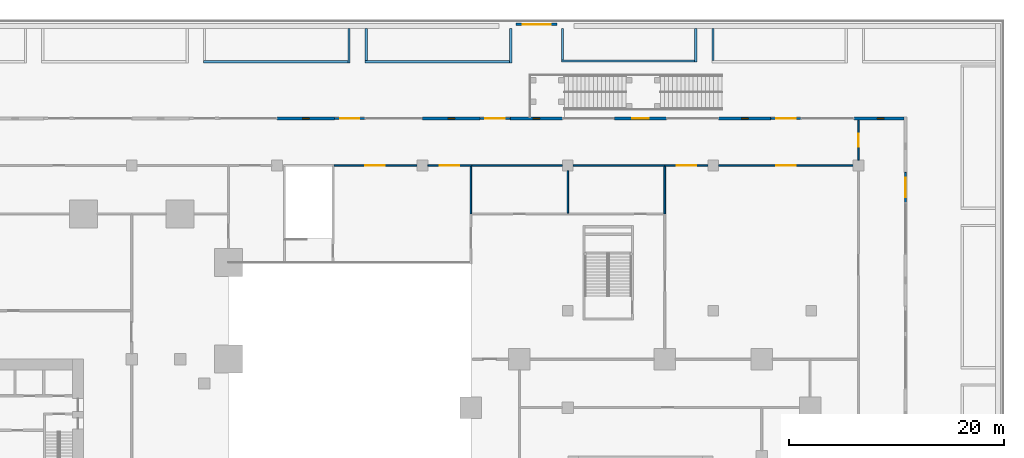
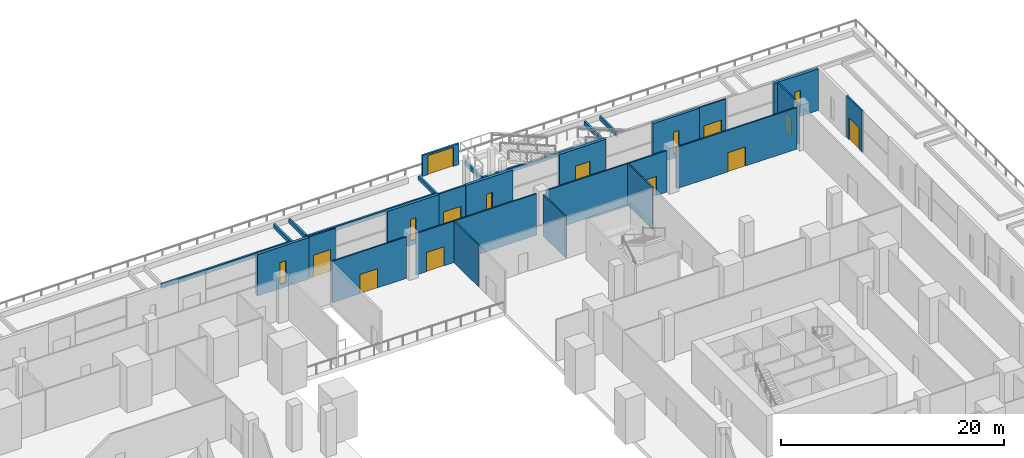
# One storey, part 40 of 49: 30 walls, 10 doors, 6 windows, 16 openings.
"""IFC4 building model written with IfcOpenShell, lengths in metres."""

from ifc_helpers import new_model, si_unit, direction, frame, frame_2d, origin, place, context, subcontext, project, spatial, rectangle, extrude, material, layer, layer_set, type_object, element, fill, save


model = new_model("IFC4")

# Units and contexts
model_context = context("Model", 3, precision=1e-05, world=origin(), true_north=direction((0.0, 1.0)))
body_context = subcontext(model_context, "Body", "Model", "MODEL_VIEW")
ifc_project = project(units=[si_unit("LENGTHUNIT", "METRE"), si_unit("AREAUNIT", "SQUARE_METRE"), si_unit("VOLUMEUNIT", "CUBIC_METRE"), si_unit("PLANEANGLEUNIT", "RADIAN"), si_unit("MASSUNIT", "GRAM", prefix="KILO")], contexts=[model_context])

# Site, building, storey
site_placement = place(None, origin())
site = spatial("IfcSite", under=ifc_project, at=site_placement, CompositionType="ELEMENT")
building_placement = place(site_placement, origin())
building = spatial("IfcBuilding", under=site, at=building_placement, Name="Altepetl Exchange Towers", CompositionType="ELEMENT")
storey_placement = place(building_placement, frame((0.0, 0.0, 11.5)))
storey = spatial("IfcBuildingStorey", under=building, at=storey_placement, Name="L02 Exchange podium", CompositionType="ELEMENT", Elevation=11.5)

# Wall, opening, door
ifc_material_1 = material(Name="Reinforced concrete C35/45", Category="concrete")
ifc_layer_1 = layer(ifc_material_1, 0.199951171875)
ifc_layer_set_1 = layer_set([ifc_layer_1], Name="Reinforced concrete C35/45")
wall_type_1 = type_object("IfcWallType", Name="Garden gate screen wall 200", PredefinedType="SOLIDWALL", material=ifc_layer_set_1)
wall_1_placement = place(storey_placement, frame((98.699951171875, 89.60009765625, 0.0)))
wall_1 = element("IfcWall", 1, at=wall_1_placement, inside=storey, type_object=wall_type_1, Name="wall:P:L02:gateR2", PredefinedType="SOLIDWALL", context=body_context, shape_type="SweptSolid", body=[
    extrude(rectangle(XDim=3.800048828125, YDim=0.199951171875, at=frame_2d((1.89990234375, 0.0))), origin(), (0.0, 0.0, 1.0), 2.300048828125),
])
opening_1_placement = place(wall_1_placement, frame((0.60009765625, 0.0, 0.0)))
opening_1 = element("IfcOpeningElement", 2, at=opening_1_placement, cuts=wall_1, Name="Opening L02.P049", PredefinedType="OPENING", context=body_context, shape_type="SweptSolid", body=[
    extrude(rectangle(XDim=2.60009765625, YDim=2.10009765625, at=frame_2d((1.300048828125, 1.050048828125))), frame((0.0, 0.10986328125, 0.0), z_axis=(0.0, -1.0, 0.0), x_axis=(1.0, 0.0, 0.0)), (0.0, 0.0, 1.0), 0.219970703125),
])
ifc_material_2 = material(Name="Painted steel bars and timber", Category="steel")
door_type_1 = type_object("IfcDoorType", Name="Garden gate 2600 x 2100 double leaf", OperationType="DOUBLE_DOOR_SINGLE_SWING", PredefinedType="GATE", material=ifc_material_2)
door_1_placement = place(opening_1_placement, origin())
door_1 = element("IfcDoor", 3, at=door_1_placement, inside=storey, type_object=door_type_1, Name="door:P:L02:049", OperationType="DOUBLE_DOOR_SINGLE_SWING", OverallHeight=2.10009765625, OverallWidth=2.60009765625, PredefinedType="GATE", context=body_context, shape_type="SweptSolid", body=[
    extrude(rectangle(XDim=2.60009765625, YDim=2.10009765625, at=frame_2d((1.300048828125, 1.050048828125))), frame((0.0, 0.02490234375, 0.0), z_axis=(0.0, -1.0, 0.0), x_axis=(1.0, 0.0, 0.0)), (0.0, 0.0, 1.0), 0.050048828125),
])
fill(opening_1, door_1)

ifc_material_3 = material(Name="Aluminium composite cladding", Category="aluminium")
ifc_layer_2 = layer(ifc_material_3, 0.14990234375)
ifc_layer_set_2 = layer_set([ifc_layer_2], Name="Aluminium composite cladding")
wall_type_2 = type_object("IfcWallType", Name="Infill wall 150 aluminium panel", PredefinedType="SOLIDWALL", material=ifc_layer_set_2)
wall_2_placement = place(storey_placement, frame((134.85009765625, 73.050048828125, 0.0), z_axis=(0.0, 0.0, 1.0), x_axis=(0.0, 1.0, 0.0)))
wall_2 = element("IfcWall", 4, at=wall_2_placement, inside=storey, type_object=wall_type_2, Name="Door bay wall", PredefinedType="SOLIDWALL", context=body_context, shape_type="SweptSolid", body=[
    extrude(rectangle(XDim=2.800048828125, YDim=0.14990234375, at=frame_2d((1.39990234375, 0.0))), origin(), (0.0, 0.0, 1.0), 4.550048828125),
])
opening_2_placement = place(wall_2_placement, frame((0.5, 0.0, 0.0)))
opening_2 = element("IfcOpeningElement", 5, at=opening_2_placement, cuts=wall_2, Name="Opening L02.E10", PredefinedType="OPENING", context=body_context, shape_type="SweptSolid", body=[
    extrude(rectangle(XDim=1.800048828125, YDim=2.39990234375, at=frame_2d((0.89990234375, 1.199951171875))), frame((0.0, 0.0849609375, 0.0), z_axis=(0.0, -1.0, 0.0), x_axis=(1.0, 0.0, 0.0)), (0.0, 0.0, 1.0), 0.169921875),
])
ifc_material_4 = material(Name="Aluminium 6063-T6 and glass", Category="aluminium")
door_type_2 = type_object("IfcDoorType", Name="Glazed door pair 1800x2400", OperationType="DOUBLE_DOOR_DOUBLE_SWING", PredefinedType="NOTDEFINED", material=ifc_material_4)
door_2_placement = place(opening_2_placement, frame((1.800048828125, 0.0, 0.0), x_axis=(-1.0, 0.0, 0.0)))
door_2 = element("IfcDoor", 6, at=door_2_placement, inside=storey, type_object=door_type_2, Name="Terrace door", OperationType="DOUBLE_DOOR_DOUBLE_SWING", OverallHeight=2.39990234375, OverallWidth=1.800048828125, PredefinedType="NOTDEFINED", context=body_context, shape_type="SweptSolid", body=[
    extrude(rectangle(XDim=1.800048828125, YDim=2.39990234375, at=frame_2d((0.89990234375, 1.199951171875))), frame((0.0, 0.02490234375, 0.0), z_axis=(0.0, -1.0, 0.0), x_axis=(1.0, 0.0, 0.0)), (0.0, 0.0, 1.0), 0.050048828125),
])
fill(opening_2, door_2)

wall_3_placement = place(storey_placement, frame((125.14990234375, 80.85009765625, 0.0), z_axis=(0.0, 0.0, 1.0), x_axis=(-1.0, 0.0, 0.0)))
wall_3 = element("IfcWall", 7, at=wall_3_placement, inside=storey, type_object=wall_type_2, Name="Door bay wall", PredefinedType="SOLIDWALL", context=body_context, shape_type="SweptSolid", body=[
    extrude(rectangle(XDim=2.7998046875, YDim=0.14990234375, at=frame_2d((1.39990234375, 0.0))), origin(), (0.0, 0.0, 1.0), 4.550048828125),
])
opening_3_placement = place(wall_3_placement, frame((0.5, 0.0, 0.0)))
opening_3 = element("IfcOpeningElement", 8, at=opening_3_placement, cuts=wall_3, Name="Opening L02.E26", PredefinedType="OPENING", context=body_context, shape_type="SweptSolid", body=[
    extrude(rectangle(XDim=1.800048828125, YDim=2.39990234375, at=frame_2d((0.89990234375, 1.199951171875))), frame((0.0, 0.0849609375, 0.0), z_axis=(0.0, -1.0, 0.0), x_axis=(1.0, 0.0, 0.0)), (0.0, 0.0, 1.0), 0.169921875),
])
door_3_placement = place(opening_3_placement, frame((1.800048828125, 0.0, 0.0), x_axis=(-1.0, 0.0, 0.0)))
door_3 = element("IfcDoor", 9, at=door_3_placement, inside=storey, type_object=door_type_2, Name="Terrace door", OperationType="DOUBLE_DOOR_DOUBLE_SWING", OverallHeight=2.39990234375, OverallWidth=1.800048828125, PredefinedType="NOTDEFINED", context=body_context, shape_type="SweptSolid", body=[
    extrude(rectangle(XDim=1.800048828125, YDim=2.39990234375, at=frame_2d((0.89990234375, 1.199951171875))), frame((0.0, 0.02490234375, 0.0), z_axis=(0.0, -1.0, 0.0), x_axis=(1.0, 0.0, 0.0)), (0.0, 0.0, 1.0), 0.050048828125),
])
fill(opening_3, door_3)

wall_4_placement = place(storey_placement, frame((98.14990234375, 80.85009765625, 0.0), z_axis=(0.0, 0.0, 1.0), x_axis=(-1.0, 0.0, 0.0)))
wall_4 = element("IfcWall", 10, at=wall_4_placement, inside=storey, type_object=wall_type_2, Name="Door bay wall", PredefinedType="SOLIDWALL", context=body_context, shape_type="SweptSolid", body=[
    extrude(rectangle(XDim=2.7998046875, YDim=0.14990234375, at=frame_2d((1.39990234375, 0.0))), origin(), (0.0, 0.0, 1.0), 4.550048828125),
])
opening_4_placement = place(wall_4_placement, frame((0.5, 0.0, 0.0)))
opening_4 = element("IfcOpeningElement", 11, at=opening_4_placement, cuts=wall_4, Name="Opening L02.E24", PredefinedType="OPENING", context=body_context, shape_type="SweptSolid", body=[
    extrude(rectangle(XDim=1.800048828125, YDim=2.39990234375, at=frame_2d((0.89990234375, 1.199951171875))), frame((0.0, 0.0849609375, 0.0), z_axis=(0.0, -1.0, 0.0), x_axis=(1.0, 0.0, 0.0)), (0.0, 0.0, 1.0), 0.169921875),
])
door_4_placement = place(opening_4_placement, frame((1.800048828125, 0.0, 0.0), x_axis=(-1.0, 0.0, 0.0)))
door_4 = element("IfcDoor", 12, at=door_4_placement, inside=storey, type_object=door_type_2, Name="Terrace door", OperationType="DOUBLE_DOOR_DOUBLE_SWING", OverallHeight=2.39990234375, OverallWidth=1.800048828125, PredefinedType="NOTDEFINED", context=body_context, shape_type="SweptSolid", body=[
    extrude(rectangle(XDim=1.800048828125, YDim=2.39990234375, at=frame_2d((0.89990234375, 1.199951171875))), frame((0.0, 0.02490234375, 0.0), z_axis=(0.0, -1.0, 0.0), x_axis=(1.0, 0.0, 0.0)), (0.0, 0.0, 1.0), 0.050048828125),
])
fill(opening_4, door_4)

wall_5_placement = place(storey_placement, frame((84.64990234375, 80.85009765625, 0.0), z_axis=(0.0, 0.0, 1.0), x_axis=(-1.0, 0.0, 0.0)))
wall_5 = element("IfcWall", 13, at=wall_5_placement, inside=storey, type_object=wall_type_2, Name="Door bay wall", PredefinedType="SOLIDWALL", context=body_context, shape_type="SweptSolid", body=[
    extrude(rectangle(XDim=2.7998046875, YDim=0.14990234375, at=frame_2d((1.39990234375, 0.0))), origin(), (0.0, 0.0, 1.0), 4.550048828125),
])
opening_5_placement = place(wall_5_placement, frame((0.5, 0.0, 0.0)))
opening_5 = element("IfcOpeningElement", 14, at=opening_5_placement, cuts=wall_5, Name="Opening L02.E23", PredefinedType="OPENING", context=body_context, shape_type="SweptSolid", body=[
    extrude(rectangle(XDim=1.800048828125, YDim=2.39990234375, at=frame_2d((0.89990234375, 1.199951171875))), frame((0.0, 0.0849609375, 0.0), z_axis=(0.0, -1.0, 0.0), x_axis=(1.0, 0.0, 0.0)), (0.0, 0.0, 1.0), 0.169921875),
])
door_5_placement = place(opening_5_placement, frame((1.800048828125, 0.0, 0.0), x_axis=(-1.0, 0.0, 0.0)))
door_5 = element("IfcDoor", 15, at=door_5_placement, inside=storey, type_object=door_type_2, Name="Terrace door", OperationType="DOUBLE_DOOR_DOUBLE_SWING", OverallHeight=2.39990234375, OverallWidth=1.800048828125, PredefinedType="NOTDEFINED", context=body_context, shape_type="SweptSolid", body=[
    extrude(rectangle(XDim=1.800048828125, YDim=2.39990234375, at=frame_2d((0.89990234375, 1.199951171875))), frame((0.0, 0.02490234375, 0.0), z_axis=(0.0, -1.0, 0.0), x_axis=(1.0, 0.0, 0.0)), (0.0, 0.0, 1.0), 0.050048828125),
])
fill(opening_5, door_5)

# Walls
ifc_layer_3 = layer(ifc_material_1, 0.199951171875)
ifc_layer_set_3 = layer_set([ifc_layer_3], Name="Reinforced concrete C35/45")
wall_type_3 = type_object("IfcWallType", Name="Planting bed curb 200", PredefinedType="SOLIDWALL", material=ifc_layer_set_3)
wall_6_placement = place(storey_placement, frame((115.375, 86.10009765625, 0.0), z_axis=(0.0, 0.0, 1.0), x_axis=(0.0, 1.0, 0.0)))
element("IfcWall", 16, at=wall_6_placement, inside=storey, type_object=wall_type_3, Name="wall:P:L02:CB10e", PredefinedType="SOLIDWALL", context=body_context, shape_type="SweptSolid", body=[
    extrude(rectangle(XDim=3.125, YDim=0.199951171875, at=frame_2d((1.5625, 0.0))), origin(), (0.0, 0.0, 1.0), 0.449951171875),
])
wall_7_placement = place(storey_placement, frame((102.89990234375, 86.199951171875, 0.0)))
element("IfcWall", 17, at=wall_7_placement, inside=storey, type_object=wall_type_3, Name="wall:P:L02:CB10s", PredefinedType="SOLIDWALL", context=body_context, shape_type="SweptSolid", body=[
    extrude(rectangle(XDim=12.375, YDim=0.199951171875, at=frame_2d((6.1875, 0.0))), origin(), (0.0, 0.0, 1.0), 0.449951171875),
])
wall_8_placement = place(storey_placement, frame((103.0, 86.300048828125, 0.0), z_axis=(0.0, 0.0, 1.0), x_axis=(0.0, 1.0, 0.0)))
element("IfcWall", 18, at=wall_8_placement, inside=storey, type_object=wall_type_3, Name="wall:P:L02:CB10w", PredefinedType="SOLIDWALL", context=body_context, shape_type="SweptSolid", body=[
    extrude(rectangle(XDim=2.925048828125, YDim=0.199951171875, at=frame_2d((1.46240234375, 0.0))), origin(), (0.0, 0.0, 1.0), 0.449951171875),
])
wall_9_placement = place(storey_placement, frame((116.97509765625, 86.22509765625, 0.0), z_axis=(0.0, 0.0, 1.0), x_axis=(0.0, 1.0, 0.0)))
element("IfcWall", 19, at=wall_9_placement, inside=storey, type_object=wall_type_3, Name="wall:P:L02:CB11w", PredefinedType="SOLIDWALL", context=body_context, shape_type="SweptSolid", body=[
    extrude(rectangle(XDim=3.0, YDim=0.199951171875, at=frame_2d((1.5, 0.0))), origin(), (0.0, 0.0, 1.0), 0.449951171875),
])
wall_10_placement = place(storey_placement, frame((83.17919921875, 86.02490234375, 0.0), z_axis=(0.0, 0.0, 1.0), x_axis=(0.0, 1.0, 0.0)))
element("IfcWall", 20, at=wall_10_placement, inside=storey, type_object=wall_type_3, Name="wall:P:L02:CB17e", PredefinedType="SOLIDWALL", context=body_context, shape_type="SweptSolid", body=[
    extrude(rectangle(XDim=3.2001953125, YDim=0.199951171875, at=frame_2d((1.60009765625, 0.0))), origin(), (0.0, 0.0, 1.0), 0.449951171875),
])
wall_11_placement = place(storey_placement, frame((69.658203125, 86.125, 0.0)))
element("IfcWall", 21, at=wall_11_placement, inside=storey, type_object=wall_type_3, Name="wall:P:L02:CB17s", PredefinedType="SOLIDWALL", context=body_context, shape_type="SweptSolid", body=[
    extrude(rectangle(XDim=13.4208984375, YDim=0.199951171875, at=frame_2d((6.71044921875, 0.0))), origin(), (0.0, 0.0, 1.0), 0.449951171875),
])
wall_12_placement = place(storey_placement, frame((98.199951171875, 86.02490234375, 0.0), z_axis=(0.0, 0.0, 1.0), x_axis=(0.0, 1.0, 0.0)))
element("IfcWall", 22, at=wall_12_placement, inside=storey, type_object=wall_type_3, Name="wall:P:L02:CB18e", PredefinedType="SOLIDWALL", context=body_context, shape_type="SweptSolid", body=[
    extrude(rectangle(XDim=3.2001953125, YDim=0.199951171875, at=frame_2d((1.60009765625, 0.0))), origin(), (0.0, 0.0, 1.0), 0.449951171875),
])
wall_13_placement = place(storey_placement, frame((84.67919921875, 86.125, 0.0)))
element("IfcWall", 23, at=wall_13_placement, inside=storey, type_object=wall_type_3, Name="wall:P:L02:CB18s", PredefinedType="SOLIDWALL", context=body_context, shape_type="SweptSolid", body=[
    extrude(rectangle(XDim=13.4208984375, YDim=0.199951171875, at=frame_2d((6.71044921875, 0.0))), origin(), (0.0, 0.0, 1.0), 0.449951171875),
])
wall_14_placement = place(storey_placement, frame((84.779296875, 86.22509765625, 0.0), z_axis=(0.0, 0.0, 1.0), x_axis=(0.0, 1.0, 0.0)))
element("IfcWall", 24, at=wall_14_placement, inside=storey, type_object=wall_type_3, Name="wall:P:L02:CB18w", PredefinedType="SOLIDWALL", context=body_context, shape_type="SweptSolid", body=[
    extrude(rectangle(XDim=3.0, YDim=0.199951171875, at=frame_2d((1.5, 0.0))), origin(), (0.0, 0.0, 1.0), 0.449951171875),
])

# Wall, opening, door
ifc_material_5 = material(Name="Gypsum board on steel studs", Category="steel")
ifc_layer_4 = layer(ifc_material_5, 0.14990234375)
ifc_layer_set_4 = layer_set([ifc_layer_4], Name="Gypsum board on steel studs")
wall_type_4 = type_object("IfcWallType", Name="Podium partition 150", PredefinedType="PARTITIONING", material=ifc_layer_set_4)
wall_15_placement = place(storey_placement, frame((130.5, 76.9951171875, 0.0), z_axis=(0.0, 0.0, 1.0), x_axis=(0.0, 1.0, 0.0)))
wall_15 = element("IfcWall", 25, at=wall_15_placement, inside=storey, type_object=wall_type_4, Name="wall:P:L02:P010", PredefinedType="PARTITIONING", context=body_context, shape_type="SweptSolid", body=[
    extrude(rectangle(XDim=3.704833984375, YDim=0.14990234375, at=frame_2d((1.8525390625, 0.0))), origin(), (0.0, 0.0, 1.0), 4.550048828125),
])
opening_6_placement = place(wall_15_placement, frame((1.25, 0.0, 0.0)))
opening_6 = element("IfcOpeningElement", 26, at=opening_6_placement, cuts=wall_15, Name="Opening L02.P028", PredefinedType="OPENING", context=body_context, shape_type="SweptSolid", body=[
    extrude(rectangle(XDim=1.199951171875, YDim=2.10009765625, at=frame_2d((0.60009765625, 1.050048828125))), frame((0.0, 0.0849609375, 0.0), z_axis=(0.0, -1.0, 0.0), x_axis=(1.0, 0.0, 0.0)), (0.0, 0.0, 1.0), 0.169921875),
])
ifc_material_6 = material(Name="Steel fire door", Category="steel")
door_type_3 = type_object("IfcDoorType", Name="Podium fire door 1200 x 2100 double leaf", OperationType="DOUBLE_DOOR_SINGLE_SWING", PredefinedType="DOOR", material=ifc_material_6)
door_6_placement = place(opening_6_placement, frame((1.199951171875, 0.0, 0.0), x_axis=(-1.0, 0.0, 0.0)))
door_6 = element("IfcDoor", 27, at=door_6_placement, inside=storey, type_object=door_type_3, Name="door:P:L02:028", OperationType="DOUBLE_DOOR_SINGLE_SWING", OverallHeight=2.10009765625, OverallWidth=1.199951171875, PredefinedType="DOOR", context=body_context, shape_type="SweptSolid", body=[
    extrude(rectangle(XDim=1.199951171875, YDim=2.10009765625, at=frame_2d((0.60009765625, 1.050048828125))), frame((0.0, 0.02490234375, 0.0), z_axis=(0.0, -1.0, 0.0), x_axis=(1.0, 0.0, 0.0)), (0.0, 0.0, 1.0), 0.050048828125),
])
fill(opening_6, door_6)

wall_16_placement = place(storey_placement, frame((81.800048828125, 76.5, 0.0)))
wall_16 = element("IfcWall", 28, at=wall_16_placement, inside=storey, type_object=wall_type_4, Name="wall:P:L02:P030", PredefinedType="PARTITIONING", context=body_context, shape_type="SweptSolid", body=[
    extrude(rectangle(XDim=7.704833984375, YDim=0.14990234375, at=frame_2d((3.8525390625, 0.0))), origin(), (0.0, 0.0, 1.0), 4.550048828125),
])
opening_7_placement = place(wall_16_placement, frame((2.89990234375, 0.0, 0.0)))
opening_7 = element("IfcOpeningElement", 29, at=opening_7_placement, cuts=wall_16, Name="Opening L02.P033", PredefinedType="OPENING", context=body_context, shape_type="SweptSolid", body=[
    extrude(rectangle(XDim=1.800048828125, YDim=2.10009765625, at=frame_2d((0.89990234375, 1.050048828125))), frame((0.0, 0.0849609375, 0.0), z_axis=(0.0, -1.0, 0.0), x_axis=(1.0, 0.0, 0.0)), (0.0, 0.0, 1.0), 0.169921875),
])
ifc_material_7 = material(Name="Glazed aluminium and steel", Category="steel")
door_type_4 = type_object("IfcDoorType", Name="Podium fire door 1800 x 2100 double leaf", OperationType="DOUBLE_DOOR_SINGLE_SWING", PredefinedType="DOOR", material=ifc_material_7)
door_7_placement = place(opening_7_placement, frame((1.800048828125, 0.0, 0.0), x_axis=(-1.0, 0.0, 0.0)))
door_7 = element("IfcDoor", 30, at=door_7_placement, inside=storey, type_object=door_type_4, Name="door:P:L02:033", OperationType="DOUBLE_DOOR_SINGLE_SWING", OverallHeight=2.10009765625, OverallWidth=1.800048828125, PredefinedType="DOOR", context=body_context, shape_type="SweptSolid", body=[
    extrude(rectangle(XDim=1.800048828125, YDim=2.10009765625, at=frame_2d((0.89990234375, 1.050048828125))), frame((0.0, 0.02490234375, 0.0), z_axis=(0.0, -1.0, 0.0), x_axis=(1.0, 0.0, 0.0)), (0.0, 0.0, 1.0), 0.050048828125),
])
fill(opening_7, door_7)

wall_17_placement = place(storey_placement, frame((90.4951171875, 76.5, 0.0)))
wall_17 = element("IfcWall", 31, at=wall_17_placement, inside=storey, type_object=wall_type_4, Name="wall:P:L02:P031", PredefinedType="PARTITIONING", context=body_context, shape_type="SweptSolid", body=[
    extrude(rectangle(XDim=4.079833984375, YDim=0.14990234375, at=frame_2d((2.0400390625, 0.0))), origin(), (0.0, 0.0, 1.0), 4.550048828125),
])
opening_8_placement = place(wall_17_placement, frame((1.10009765625, 0.0, 0.0)))
opening_8 = element("IfcOpeningElement", 32, at=opening_8_placement, cuts=wall_17, Name="Opening L02.P034", PredefinedType="OPENING", context=body_context, shape_type="SweptSolid", body=[
    extrude(rectangle(XDim=1.800048828125, YDim=2.10009765625, at=frame_2d((0.89990234375, 1.050048828125))), frame((0.0, 0.0849609375, 0.0), z_axis=(0.0, -1.0, 0.0), x_axis=(1.0, 0.0, 0.0)), (0.0, 0.0, 1.0), 0.169921875),
])
door_8_placement = place(opening_8_placement, frame((1.800048828125, 0.0, 0.0), x_axis=(-1.0, 0.0, 0.0)))
door_8 = element("IfcDoor", 33, at=door_8_placement, inside=storey, type_object=door_type_4, Name="door:P:L02:034", OperationType="DOUBLE_DOOR_SINGLE_SWING", OverallHeight=2.10009765625, OverallWidth=1.800048828125, PredefinedType="DOOR", context=body_context, shape_type="SweptSolid", body=[
    extrude(rectangle(XDim=1.800048828125, YDim=2.10009765625, at=frame_2d((0.89990234375, 1.050048828125))), frame((0.0, 0.02490234375, 0.0), z_axis=(0.0, -1.0, 0.0), x_axis=(1.0, 0.0, 0.0)), (0.0, 0.0, 1.0), 0.050048828125),
])
fill(opening_8, door_8)

# Walls
wall_18_placement = place(storey_placement, frame((94.5, 76.5, 0.0)))
element("IfcWall", 34, at=wall_18_placement, inside=storey, type_object=wall_type_4, Name="wall:P:L02:P037", PredefinedType="PARTITIONING", context=body_context, shape_type="SweptSolid", body=[
    extrude(rectangle(XDim=8.5048828125, YDim=0.14990234375, at=frame_2d((4.25244140625, 0.0))), origin(), (0.0, 0.0, 1.0), 4.550048828125),
])
wall_19_placement = place(storey_placement, frame((103.9951171875, 76.5, 0.0)))
element("IfcWall", 35, at=wall_19_placement, inside=storey, type_object=wall_type_4, Name="wall:P:L02:P038", PredefinedType="PARTITIONING", context=body_context, shape_type="SweptSolid", body=[
    extrude(rectangle(XDim=8.579833984375, YDim=0.14990234375, at=frame_2d((4.2900390625, 0.0))), origin(), (0.0, 0.0, 1.0), 4.550048828125),
])

# Wall, opening, door
wall_20_placement = place(storey_placement, frame((112.5, 76.5, 0.0)))
wall_20 = element("IfcWall", 36, at=wall_20_placement, inside=storey, type_object=wall_type_4, Name="wall:P:L02:P039", PredefinedType="PARTITIONING", context=body_context, shape_type="SweptSolid", body=[
    extrude(rectangle(XDim=4.0048828125, YDim=0.14990234375, at=frame_2d((2.00244140625, 0.0))), origin(), (0.0, 0.0, 1.0), 4.550048828125),
])
opening_9_placement = place(wall_20_placement, frame((1.10009765625, 0.0, 0.0)))
opening_9 = element("IfcOpeningElement", 37, at=opening_9_placement, cuts=wall_20, Name="Opening L02.P036", PredefinedType="OPENING", context=body_context, shape_type="SweptSolid", body=[
    extrude(rectangle(XDim=1.800048828125, YDim=2.10009765625, at=frame_2d((0.89990234375, 1.050048828125))), frame((0.0, 0.0849609375, 0.0), z_axis=(0.0, -1.0, 0.0), x_axis=(1.0, 0.0, 0.0)), (0.0, 0.0, 1.0), 0.169921875),
])
door_9_placement = place(opening_9_placement, origin())
door_9 = element("IfcDoor", 38, at=door_9_placement, inside=storey, type_object=door_type_4, Name="door:P:L02:036", OperationType="DOUBLE_DOOR_SINGLE_SWING", OverallHeight=2.10009765625, OverallWidth=1.800048828125, PredefinedType="DOOR", context=body_context, shape_type="SweptSolid", body=[
    extrude(rectangle(XDim=1.800048828125, YDim=2.10009765625, at=frame_2d((0.89990234375, 1.050048828125))), frame((0.0, 0.02490234375, 0.0), z_axis=(0.0, -1.0, 0.0), x_axis=(1.0, 0.0, 0.0)), (0.0, 0.0, 1.0), 0.050048828125),
])
fill(opening_9, door_9)

wall_21_placement = place(storey_placement, frame((117.4951171875, 76.5, 0.0)))
wall_21 = element("IfcWall", 39, at=wall_21_placement, inside=storey, type_object=wall_type_4, Name="wall:P:L02:P040", PredefinedType="PARTITIONING", context=body_context, shape_type="SweptSolid", body=[
    extrude(rectangle(XDim=12.509765625, YDim=0.14990234375, at=frame_2d((6.2548828125, 0.0))), origin(), (0.0, 0.0, 1.0), 4.550048828125),
])
opening_10_placement = place(wall_21_placement, frame((5.35009765625, 0.0, 0.0)))
opening_10 = element("IfcOpeningElement", 40, at=opening_10_placement, cuts=wall_21, Name="Opening L02.P035", PredefinedType="OPENING", context=body_context, shape_type="SweptSolid", body=[
    extrude(rectangle(XDim=1.800048828125, YDim=2.10009765625, at=frame_2d((0.89990234375, 1.050048828125))), frame((0.0, 0.0849609375, 0.0), z_axis=(0.0, -1.0, 0.0), x_axis=(1.0, 0.0, 0.0)), (0.0, 0.0, 1.0), 0.169921875),
])
door_10_placement = place(opening_10_placement, origin())
door_10 = element("IfcDoor", 41, at=door_10_placement, inside=storey, type_object=door_type_4, Name="door:P:L02:035", OperationType="DOUBLE_DOOR_SINGLE_SWING", OverallHeight=2.10009765625, OverallWidth=1.800048828125, PredefinedType="DOOR", context=body_context, shape_type="SweptSolid", body=[
    extrude(rectangle(XDim=1.800048828125, YDim=2.10009765625, at=frame_2d((0.89990234375, 1.050048828125))), frame((0.0, 0.02490234375, 0.0), z_axis=(0.0, -1.0, 0.0), x_axis=(1.0, 0.0, 0.0)), (0.0, 0.0, 1.0), 0.050048828125),
])
fill(opening_10, door_10)

# Walls
wall_22_placement = place(storey_placement, frame((94.5, 72.0, 0.0), z_axis=(0.0, 0.0, 1.0), x_axis=(0.0, 1.0, 0.0)))
element("IfcWall", 42, at=wall_22_placement, inside=storey, type_object=wall_type_4, Name="wall:P:L02:P047", PredefinedType="PARTITIONING", context=body_context, shape_type="SweptSolid", body=[
    extrude(rectangle(XDim=4.425048828125, YDim=0.14990234375, at=frame_2d((2.21240234375, 0.0))), origin(), (0.0, 0.0, 1.0), 4.550048828125),
])
wall_23_placement = place(storey_placement, frame((103.5, 72.074951171875, 0.0), z_axis=(0.0, 0.0, 1.0), x_axis=(0.0, 1.0, 0.0)))
element("IfcWall", 43, at=wall_23_placement, inside=storey, type_object=wall_type_4, Name="wall:P:L02:P133", PredefinedType="PARTITIONING", context=body_context, shape_type="SweptSolid", body=[
    extrude(rectangle(XDim=3.929931640625, YDim=0.14990234375, at=frame_2d((1.96484375, 0.0))), origin(), (0.0, 0.0, 1.0), 4.550048828125),
])
wall_24_placement = place(storey_placement, frame((112.5, 72.0, 0.0), z_axis=(0.0, 0.0, 1.0), x_axis=(0.0, 1.0, 0.0)))
element("IfcWall", 44, at=wall_24_placement, inside=storey, type_object=wall_type_4, Name="wall:P:L02:P134", PredefinedType="PARTITIONING", context=body_context, shape_type="SweptSolid", body=[
    extrude(rectangle(XDim=4.425048828125, YDim=0.14990234375, at=frame_2d((2.21240234375, 0.0))), origin(), (0.0, 0.0, 1.0), 4.550048828125),
])

# Wall, opening, window
ifc_material_8 = material(Name="Cantera limestone cladding", Category="masonry")
ifc_layer_5 = layer(ifc_material_8, 0.300048828125)
ifc_layer_set_5 = layer_set([ifc_layer_5], Name="Cantera limestone cladding")
wall_type_5 = type_object("IfcWallType", Name="Stone wall panel 300", PredefinedType="ELEMENTEDWALL", material=ifc_layer_set_5)
wall_25_placement = place(storey_placement, frame((134.699951171875, 80.85009765625, 0.0), z_axis=(0.0, 0.0, 1.0), x_axis=(-1.0, 0.0, 0.0)))
wall_25 = element("IfcWall", 45, at=wall_25_placement, inside=storey, type_object=wall_type_5, Name="Stone wall panel", PredefinedType="ELEMENTEDWALL", context=body_context, shape_type="SweptSolid", body=[
    extrude(rectangle(XDim=4.625, YDim=0.300048828125, at=frame_2d((2.3125, 0.0))), origin(), (0.0, 0.0, 1.0), 4.550048828125),
])
opening_11_placement = place(wall_25_placement, frame((1.862548828125, 0.0, 0.449951171875)))
opening_11 = element("IfcOpeningElement", 46, at=opening_11_placement, cuts=wall_25, Name="Opening W3", PredefinedType="OPENING", context=body_context, shape_type="SweptSolid", body=[
    extrude(rectangle(XDim=0.60009765625, YDim=2.39990234375, at=frame_2d((0.300048828125, 1.199951171875))), frame((0.0, 0.16015625, 0.0), z_axis=(0.0, -1.0, 0.0), x_axis=(1.0, 0.0, 0.0)), (0.0, 0.0, 1.0), 0.320068359375),
])
window_type_1 = type_object("IfcWindowType", Name="Tall slot window 600x2400", PartitioningType="SINGLE_PANEL", PredefinedType="WINDOW", material=ifc_material_4)
window_1_placement = place(opening_11_placement, origin())
window_1 = element("IfcWindow", 47, at=window_1_placement, inside=storey, type_object=window_type_1, Name="Window", OverallHeight=2.39990234375, OverallWidth=0.60009765625, PartitioningType="SINGLE_PANEL", PredefinedType="WINDOW", context=body_context, shape_type="SweptSolid", body=[
    extrude(rectangle(XDim=0.60009765625, YDim=2.39990234375, at=frame_2d((0.300048828125, 1.199951171875))), frame((0.0, 0.030029296875, 0.0), z_axis=(0.0, -1.0, 0.0), x_axis=(1.0, 0.0, 0.0)), (0.0, 0.0, 1.0), 0.06005859375),
])
fill(opening_11, window_1)

wall_26_placement = place(storey_placement, frame((122.35009765625, 80.85009765625, 0.0), z_axis=(0.0, 0.0, 1.0), x_axis=(-1.0, 0.0, 0.0)))
wall_26 = element("IfcWall", 48, at=wall_26_placement, inside=storey, type_object=wall_type_5, Name="Stone wall panel", PredefinedType="ELEMENTEDWALL", context=body_context, shape_type="SweptSolid", body=[
    extrude(rectangle(XDim=4.840087890625, YDim=0.300048828125, at=frame_2d((2.419921875, 0.0))), origin(), (0.0, 0.0, 1.0), 4.550048828125),
])
opening_12_placement = place(wall_26_placement, frame((2.1201171875, 0.0, 0.449951171875)))
opening_12 = element("IfcOpeningElement", 49, at=opening_12_placement, cuts=wall_26, Name="Opening W3", PredefinedType="OPENING", context=body_context, shape_type="SweptSolid", body=[
    extrude(rectangle(XDim=0.60009765625, YDim=2.39990234375, at=frame_2d((0.300048828125, 1.199951171875))), frame((0.0, 0.16015625, 0.0), z_axis=(0.0, -1.0, 0.0), x_axis=(1.0, 0.0, 0.0)), (0.0, 0.0, 1.0), 0.320068359375),
])
window_2_placement = place(opening_12_placement, origin())
window_2 = element("IfcWindow", 50, at=window_2_placement, inside=storey, type_object=window_type_1, Name="Window", OverallHeight=2.39990234375, OverallWidth=0.60009765625, PartitioningType="SINGLE_PANEL", PredefinedType="WINDOW", context=body_context, shape_type="SweptSolid", body=[
    extrude(rectangle(XDim=0.60009765625, YDim=2.39990234375, at=frame_2d((0.300048828125, 1.199951171875))), frame((0.0, 0.030029296875, 0.0), z_axis=(0.0, -1.0, 0.0), x_axis=(1.0, 0.0, 0.0)), (0.0, 0.0, 1.0), 0.06005859375),
])
fill(opening_12, window_2)

wall_27_placement = place(storey_placement, frame((112.669921875, 80.85009765625, 0.0), z_axis=(0.0, 0.0, 1.0), x_axis=(-1.0, 0.0, 0.0)))
wall_27 = element("IfcWall", 51, at=wall_27_placement, inside=storey, type_object=wall_type_5, Name="Stone wall panel", PredefinedType="ELEMENTEDWALL", context=body_context, shape_type="SweptSolid", body=[
    extrude(rectangle(XDim=4.83984375, YDim=0.300048828125, at=frame_2d((2.419921875, 0.0))), origin(), (0.0, 0.0, 1.0), 4.550048828125),
])
opening_13_placement = place(wall_27_placement, frame((1.669921875, 0.0, 0.89990234375)))
opening_13 = element("IfcOpeningElement", 52, at=opening_13_placement, cuts=wall_27, Name="Opening W2", PredefinedType="OPENING", context=body_context, shape_type="SweptSolid", body=[
    extrude(rectangle(XDim=1.5, YDim=1.800048828125, at=frame_2d((0.75, 0.89990234375))), frame((0.0, 0.16015625, 0.0), z_axis=(0.0, -1.0, 0.0), x_axis=(1.0, 0.0, 0.0)), (0.0, 0.0, 1.0), 0.320068359375),
])
ifc_material_9 = material(Name="Timber and glass", Category="wood")
window_type_2 = type_object("IfcWindowType", Name="Punched window 1500x1800", PartitioningType="SINGLE_PANEL", PredefinedType="WINDOW", material=ifc_material_9)
window_3_placement = place(opening_13_placement, origin())
window_3 = element("IfcWindow", 53, at=window_3_placement, inside=storey, type_object=window_type_2, Name="Window", OverallHeight=1.800048828125, OverallWidth=1.5, PartitioningType="SINGLE_PANEL", PredefinedType="WINDOW", context=body_context, shape_type="SweptSolid", body=[
    extrude(rectangle(XDim=1.5, YDim=1.800048828125, at=frame_2d((0.75, 0.89990234375))), frame((0.0, 0.030029296875, 0.0), z_axis=(0.0, -1.0, 0.0), x_axis=(1.0, 0.0, 0.0)), (0.0, 0.0, 1.0), 0.06005859375),
])
fill(opening_13, window_3)

wall_28_placement = place(storey_placement, frame((102.989990234375, 80.85009765625, 0.0), z_axis=(0.0, 0.0, 1.0), x_axis=(-1.0, 0.0, 0.0)))
wall_28 = element("IfcWall", 54, at=wall_28_placement, inside=storey, type_object=wall_type_5, Name="Stone wall panel", PredefinedType="ELEMENTEDWALL", context=body_context, shape_type="SweptSolid", body=[
    extrude(rectangle(XDim=4.840087890625, YDim=0.300048828125, at=frame_2d((2.419921875, 0.0))), origin(), (0.0, 0.0, 1.0), 4.550048828125),
])
opening_14_placement = place(wall_28_placement, frame((2.1201171875, 0.0, 0.449951171875)))
opening_14 = element("IfcOpeningElement", 55, at=opening_14_placement, cuts=wall_28, Name="Opening W3", PredefinedType="OPENING", context=body_context, shape_type="SweptSolid", body=[
    extrude(rectangle(XDim=0.60009765625, YDim=2.39990234375, at=frame_2d((0.300048828125, 1.199951171875))), frame((0.0, 0.16015625, 0.0), z_axis=(0.0, -1.0, 0.0), x_axis=(1.0, 0.0, 0.0)), (0.0, 0.0, 1.0), 0.320068359375),
])
window_4_placement = place(opening_14_placement, origin())
window_4 = element("IfcWindow", 56, at=window_4_placement, inside=storey, type_object=window_type_1, Name="Window", OverallHeight=2.39990234375, OverallWidth=0.60009765625, PartitioningType="SINGLE_PANEL", PredefinedType="WINDOW", context=body_context, shape_type="SweptSolid", body=[
    extrude(rectangle(XDim=0.60009765625, YDim=2.39990234375, at=frame_2d((0.300048828125, 1.199951171875))), frame((0.0, 0.030029296875, 0.0), z_axis=(0.0, -1.0, 0.0), x_axis=(1.0, 0.0, 0.0)), (0.0, 0.0, 1.0), 0.06005859375),
])
fill(opening_14, window_4)

wall_29_placement = place(storey_placement, frame((95.35009765625, 80.85009765625, 0.0), z_axis=(0.0, 0.0, 1.0), x_axis=(-1.0, 0.0, 0.0)))
wall_29 = element("IfcWall", 57, at=wall_29_placement, inside=storey, type_object=wall_type_5, Name="Stone wall panel", PredefinedType="ELEMENTEDWALL", context=body_context, shape_type="SweptSolid", body=[
    extrude(rectangle(XDim=5.35009765625, YDim=0.300048828125, at=frame_2d((2.675048828125, 0.0))), origin(), (0.0, 0.0, 1.0), 4.550048828125),
])
opening_15_placement = place(wall_29_placement, frame((2.375, 0.0, 0.449951171875)))
opening_15 = element("IfcOpeningElement", 58, at=opening_15_placement, cuts=wall_29, Name="Opening W3", PredefinedType="OPENING", context=body_context, shape_type="SweptSolid", body=[
    extrude(rectangle(XDim=0.60009765625, YDim=2.39990234375, at=frame_2d((0.300048828125, 1.199951171875))), frame((0.0, 0.16015625, 0.0), z_axis=(0.0, -1.0, 0.0), x_axis=(1.0, 0.0, 0.0)), (0.0, 0.0, 1.0), 0.320068359375),
])
window_5_placement = place(opening_15_placement, origin())
window_5 = element("IfcWindow", 59, at=window_5_placement, inside=storey, type_object=window_type_1, Name="Window", OverallHeight=2.39990234375, OverallWidth=0.60009765625, PartitioningType="SINGLE_PANEL", PredefinedType="WINDOW", context=body_context, shape_type="SweptSolid", body=[
    extrude(rectangle(XDim=0.60009765625, YDim=2.39990234375, at=frame_2d((0.300048828125, 1.199951171875))), frame((0.0, 0.030029296875, 0.0), z_axis=(0.0, -1.0, 0.0), x_axis=(1.0, 0.0, 0.0)), (0.0, 0.0, 1.0), 0.06005859375),
])
fill(opening_15, window_5)

wall_30_placement = place(storey_placement, frame((81.85009765625, 80.85009765625, 0.0), z_axis=(0.0, 0.0, 1.0), x_axis=(-1.0, 0.0, 0.0)))
wall_30 = element("IfcWall", 60, at=wall_30_placement, inside=storey, type_object=wall_type_5, Name="Stone wall panel", PredefinedType="ELEMENTEDWALL", context=body_context, shape_type="SweptSolid", body=[
    extrude(rectangle(XDim=5.35009765625, YDim=0.300048828125, at=frame_2d((2.675048828125, 0.0))), origin(), (0.0, 0.0, 1.0), 4.550048828125),
])
opening_16_placement = place(wall_30_placement, frame((2.375, 0.0, 0.449951171875)))
opening_16 = element("IfcOpeningElement", 61, at=opening_16_placement, cuts=wall_30, Name="Opening W3", PredefinedType="OPENING", context=body_context, shape_type="SweptSolid", body=[
    extrude(rectangle(XDim=0.60009765625, YDim=2.39990234375, at=frame_2d((0.300048828125, 1.199951171875))), frame((0.0, 0.16015625, 0.0), z_axis=(0.0, -1.0, 0.0), x_axis=(1.0, 0.0, 0.0)), (0.0, 0.0, 1.0), 0.320068359375),
])
window_6_placement = place(opening_16_placement, origin())
window_6 = element("IfcWindow", 62, at=window_6_placement, inside=storey, type_object=window_type_1, Name="Window", OverallHeight=2.39990234375, OverallWidth=0.60009765625, PartitioningType="SINGLE_PANEL", PredefinedType="WINDOW", context=body_context, shape_type="SweptSolid", body=[
    extrude(rectangle(XDim=0.60009765625, YDim=2.39990234375, at=frame_2d((0.300048828125, 1.199951171875))), frame((0.0, 0.030029296875, 0.0), z_axis=(0.0, -1.0, 0.0), x_axis=(1.0, 0.0, 0.0)), (0.0, 0.0, 1.0), 0.06005859375),
])
fill(opening_16, window_6)

save(model, "model.ifc")
